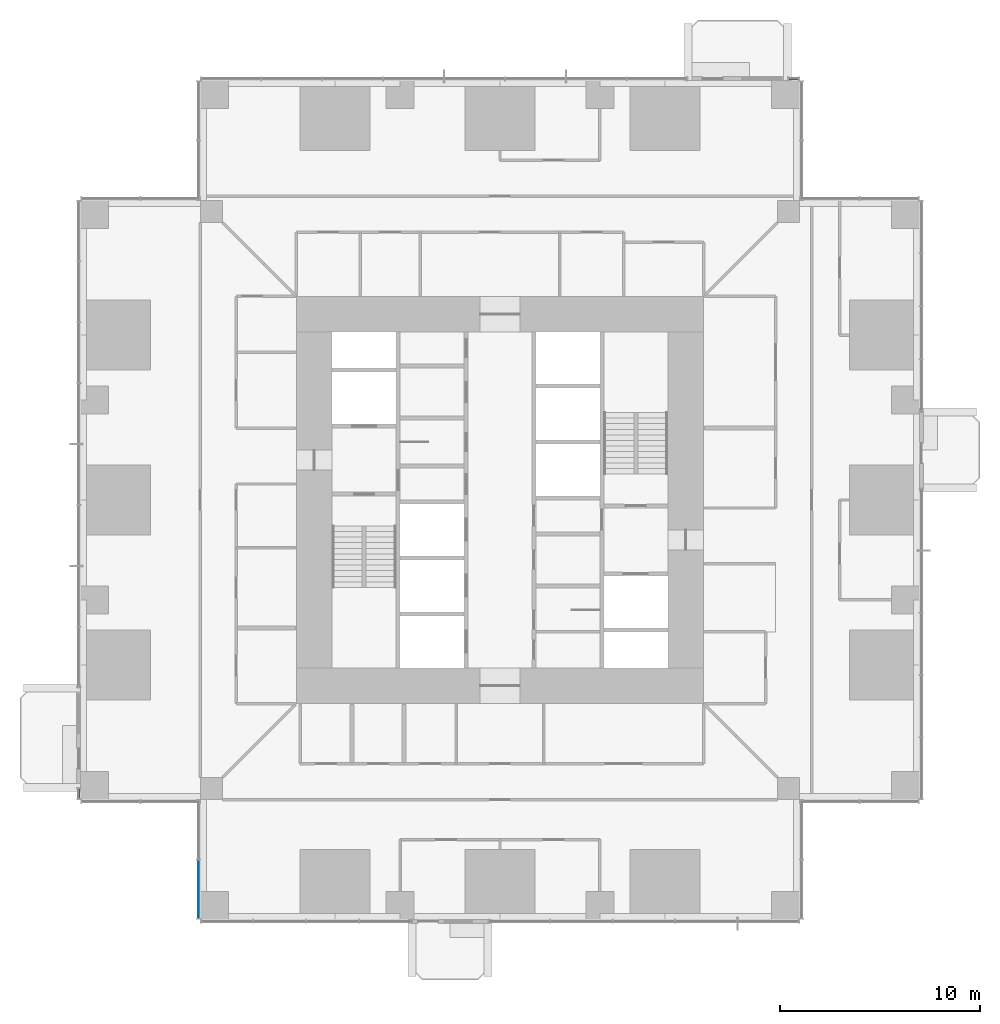
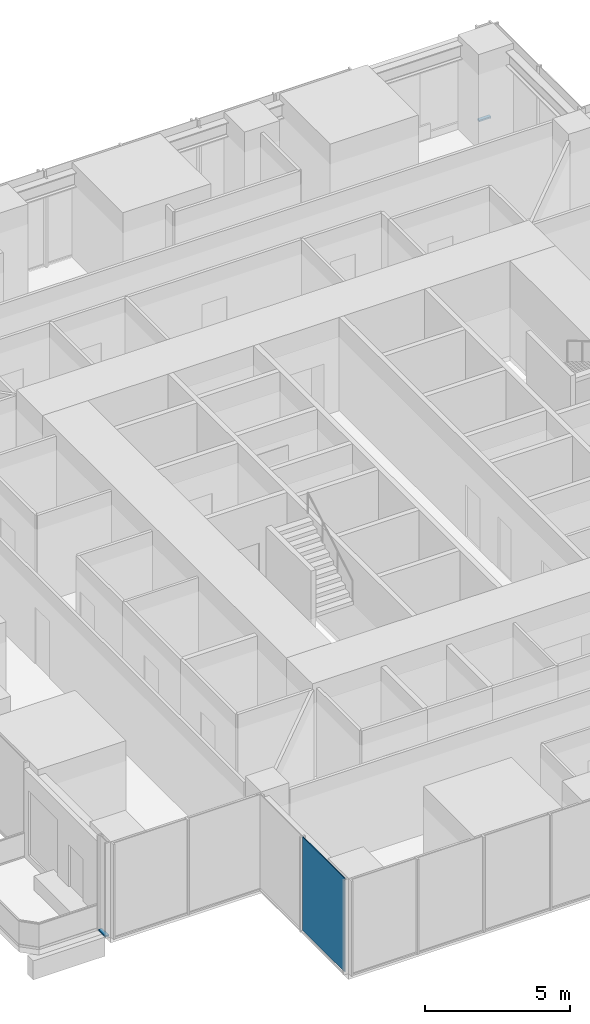
# One storey, part 7 of 17: 2 members, 1 plate, 3 elements without a shape of their own.
"""IFC4 building model written with IfcOpenShell, lengths in metres."""

from ifc_helpers import new_model, si_unit, direction, frame, origin, origin_2d, place, context, subcontext, project, spatial, rectangle, extrude, material, layer, layer_set, material_profile, profile_set, type_object, element, aggregate, save


model = new_model("IFC4")

# Units and contexts
model_context = context("Model", 3, precision=1e-05, world=origin(), true_north=direction((0.0, 1.0)))
body_context = subcontext(model_context, "Body", "Model", "MODEL_VIEW")
ifc_project = project(units=[si_unit("LENGTHUNIT", "METRE"), si_unit("AREAUNIT", "SQUARE_METRE"), si_unit("VOLUMEUNIT", "CUBIC_METRE"), si_unit("PLANEANGLEUNIT", "RADIAN"), si_unit("MASSUNIT", "GRAM", prefix="KILO")], contexts=[model_context])

# Site, building, storey
site_placement = place(None, origin())
site = spatial("IfcSite", under=ifc_project, at=site_placement, CompositionType="ELEMENT")
building_placement = place(site_placement, origin())
building = spatial("IfcBuilding", under=site, at=building_placement, Name="Svetlomir Tower", CompositionType="ELEMENT")
storey_placement = place(building_placement, frame((0.0, 0.0, 62.5)))
storey = spatial("IfcBuildingStorey", under=building, at=storey_placement, Name="L14", CompositionType="ELEMENT", Elevation=62.5)

# Curtain wall, member
ifc_material_1 = material(Name="Bronze anodised aluminium curtain wall", Category="aluminium")
curtain_wall_type = type_object("IfcCurtainWallType", Name="CURTAIN WALL CW1 TOWER OFFICE", PredefinedType="NOTDEFINED", material=ifc_material_1)
curtain_wall_1_placement = place(storey_placement, origin())
curtain_wall_1 = element("IfcCurtainWall", 1, at=curtain_wall_1_placement, inside=storey, type_object=curtain_wall_type, Name="Curtain wall CW1 L14", PredefinedType="NOTDEFINED")
ifc_material_2 = material(Name="Bronze anodised aluminium", Category="aluminium")
ifc_material_profile = material_profile(ifc_material_2, rectangle(XDim=0.139892578125, YDim=0.06494140625, at=origin_2d()), Name="AL 140x65")
ifc_profile_set = profile_set([ifc_material_profile], Name="Bronze anodised aluminium 6063-T6")
member_type = type_object("IfcMemberType", Name="CW1 TRANSOM 65x140", PredefinedType="USERDEFINED", material=ifc_profile_set)
member_1_placement = place(storey_placement, frame((35.93505859375, 42.10009765625, 0.032470703125), z_axis=(-1.0, 0.0, 0.0), x_axis=(0.0, -1.0, 0.0)))
member_1 = element("IfcMember", 2, at=member_1_placement, type_object=member_type, Name="CW1 transom 1.1", ObjectType="TRANSOM", PredefinedType="USERDEFINED", context=body_context, shape_type="SweptSolid", body=[
    extrude(rectangle(XDim=0.139892578125, YDim=0.06494140625, at=origin_2d()), origin(), (0.0, 0.0, 1.0), 0.469970703125),
])
aggregate(curtain_wall_1, [member_1])

curtain_wall_2_placement = place(storey_placement, origin())
curtain_wall_2 = element("IfcCurtainWall", 3, at=curtain_wall_2_placement, inside=storey, type_object=curtain_wall_type, Name="Curtain wall CW1 L14", PredefinedType="NOTDEFINED")
member_2_placement = place(storey_placement, frame((-0.10009765625, 6.534912109375, 0.032470703125), z_axis=(0.0, -1.0, 0.0), x_axis=(1.0, 0.0, 0.0)))
member_2 = element("IfcMember", 4, at=member_2_placement, type_object=member_type, Name="CW1 transom 1.1", ObjectType="TRANSOM", PredefinedType="USERDEFINED", context=body_context, shape_type="SweptSolid", body=[
    extrude(rectangle(XDim=0.139892578125, YDim=0.06494140625, at=origin_2d()), origin(), (0.0, 0.0, 1.0), 0.469970703125),
])
aggregate(curtain_wall_2, [member_2])

# Curtain wall, plate
curtain_wall_3_placement = place(storey_placement, origin())
curtain_wall_3 = element("IfcCurtainWall", 5, at=curtain_wall_3_placement, inside=storey, type_object=curtain_wall_type, Name="Curtain wall CW1 L14", PredefinedType="NOTDEFINED")
ifc_material_3 = material(Name="Tinted double glazed unit", Category="glass")
ifc_layer = layer(ifc_material_3, 0.031982421875)
ifc_layer_set = layer_set([ifc_layer], Name="Tinted double glazed unit")
plate_type = type_object("IfcPlateType", Name="CW1 GLAZED PANEL 32", PredefinedType="CURTAIN_PANEL", material=ifc_layer_set)
plate_placement = place(storey_placement, frame((5.89990234375, 1.516357421875, 0.06494140625), z_axis=(0.0, 0.0, 1.0), x_axis=(0.0, -1.0, 0.0)))
plate = element("IfcPlate", 6, at=plate_placement, type_object=plate_type, Name="CW1 panel 2.1", PredefinedType="CURTAIN_PANEL", context=body_context, shape_type="SweptSolid", body=[
    extrude(rectangle(XDim=2.902587890625, YDim=0.031982421875, at=origin_2d()), origin(), (0.0, 0.0, 1.0), 3.93505859375),
])
aggregate(curtain_wall_3, [plate])

save(model, "model.ifc")
